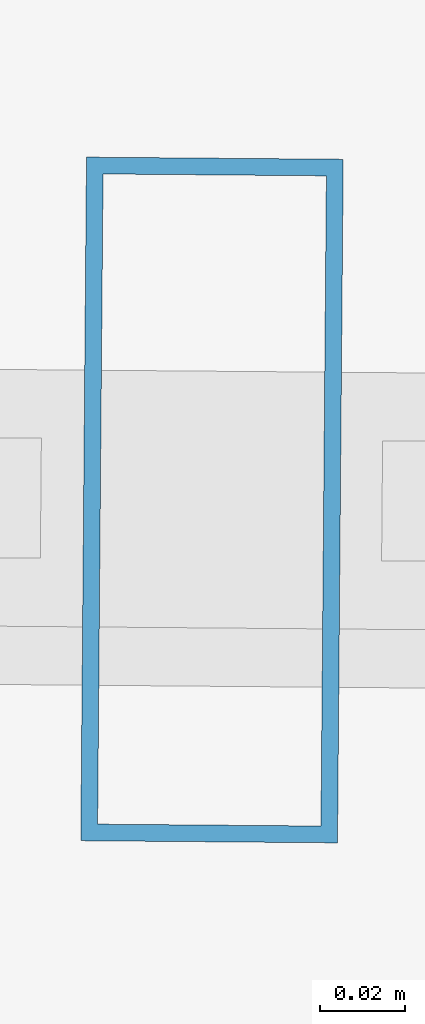
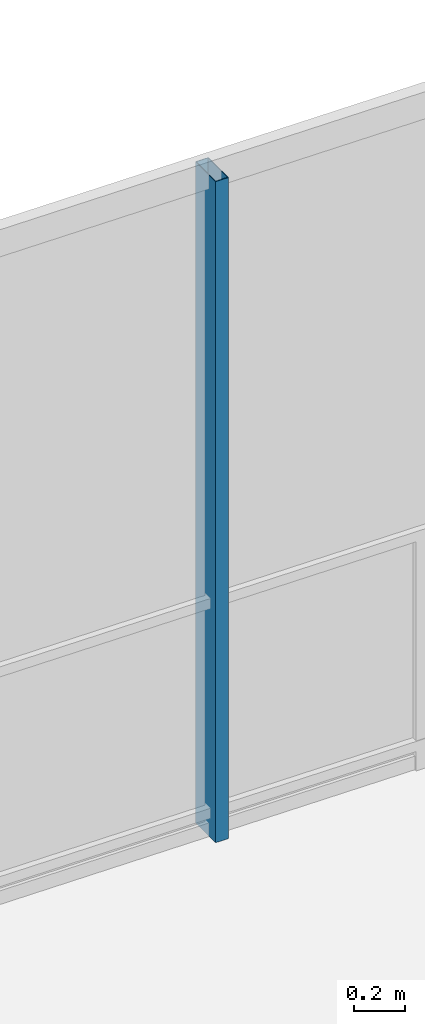
# One storey, part 21 of 31: 1 member, 1 element without a shape of its own.
"""IFC4 building model written with IfcOpenShell, lengths in metres."""

from ifc_helpers import new_model, si_unit, direction, frame, origin, origin_2d, place, context, subcontext, project, spatial, hollow_rectangle, extrude, material, layer, layer_set, material_profile, profile_set, type_object, element, aggregate, save


model = new_model("IFC4")

# Units and contexts
model_context = context("Model", 3, precision=1e-05, world=origin(), true_north=direction((0.0, 1.0)))
body_context = subcontext(model_context, "Body", "Model", "MODEL_VIEW")
ifc_project = project(units=[si_unit("LENGTHUNIT", "METRE"), si_unit("AREAUNIT", "SQUARE_METRE"), si_unit("VOLUMEUNIT", "CUBIC_METRE"), si_unit("PLANEANGLEUNIT", "RADIAN"), si_unit("MASSUNIT", "GRAM", prefix="KILO")], contexts=[model_context])

# Site, building, storey
site_placement = place(None, origin())
site = spatial("IfcSite", under=ifc_project, at=site_placement, CompositionType="ELEMENT")
building_placement = place(site_placement, origin())
building = spatial("IfcBuilding", under=site, at=building_placement, Name="Qarnah Convention Tower", CompositionType="ELEMENT")
storey_placement = place(building_placement, frame((0.0, 0.0, 64.949951171875)))
storey = spatial("IfcBuildingStorey", under=building, at=storey_placement, Name="L16", CompositionType="ELEMENT", Elevation=64.949951171875)

# Curtain wall, member
ifc_material_1 = material(Name="Tempered Low-E dark glass", Category="glass")
ifc_layer = layer(ifc_material_1, 0.16796875)
ifc_layer_set = layer_set([ifc_layer], Name="Tempered Low-E dark glass")
curtain_wall_type = type_object("IfcCurtainWallType", Name="CWS-01", PredefinedType="NOTDEFINED", material=ifc_layer_set)
curtain_wall_placement = place(storey_placement, origin())
curtain_wall = element("IfcCurtainWall", 1, at=curtain_wall_placement, inside=storey, type_object=curtain_wall_type, Name="L16 unitised curtain wall CW-L16-F1", PredefinedType="NOTDEFINED")
ifc_material_2 = material(Name="Black anodised aluminium", Category="aluminium")
ifc_material_profile = material_profile(ifc_material_2, hollow_rectangle(XDim=0.06005859375, YDim=0.159912109375, WallThickness=0.00390625, at=origin_2d()), Name="MUL-60X160")
ifc_profile_set = profile_set([ifc_material_profile], Name="Black anodised aluminium")
member_type = type_object("IfcMemberType", Name="MUL-T1", PredefinedType="MULLION", material=ifc_profile_set)
member_placement = place(storey_placement, frame((41.834716796875, 44.481689453125, 0.0), z_axis=(0.0, 0.0, 1.0), x_axis=(0.999965190634, -0.008343711474, 0.0)))
member = element("IfcMember", 2, at=member_placement, type_object=member_type, Name="CW-L16-F1 mullion 4", PredefinedType="MULLION", context=body_context, shape_type="SweptSolid", body=[
    extrude(hollow_rectangle(XDim=0.06005859375, YDim=0.159912109375, WallThickness=0.00390625, at=origin_2d()), origin(), (0.0, 0.0, 1.0), 3.170166015625),
])
aggregate(curtain_wall, [member])

save(model, "model.ifc")
